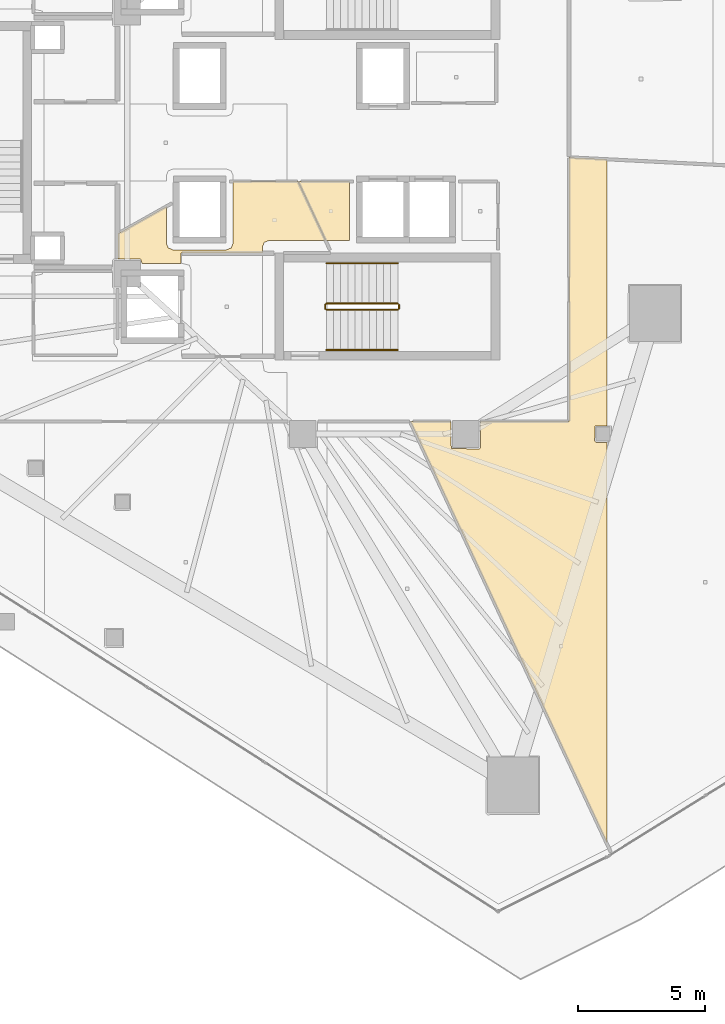
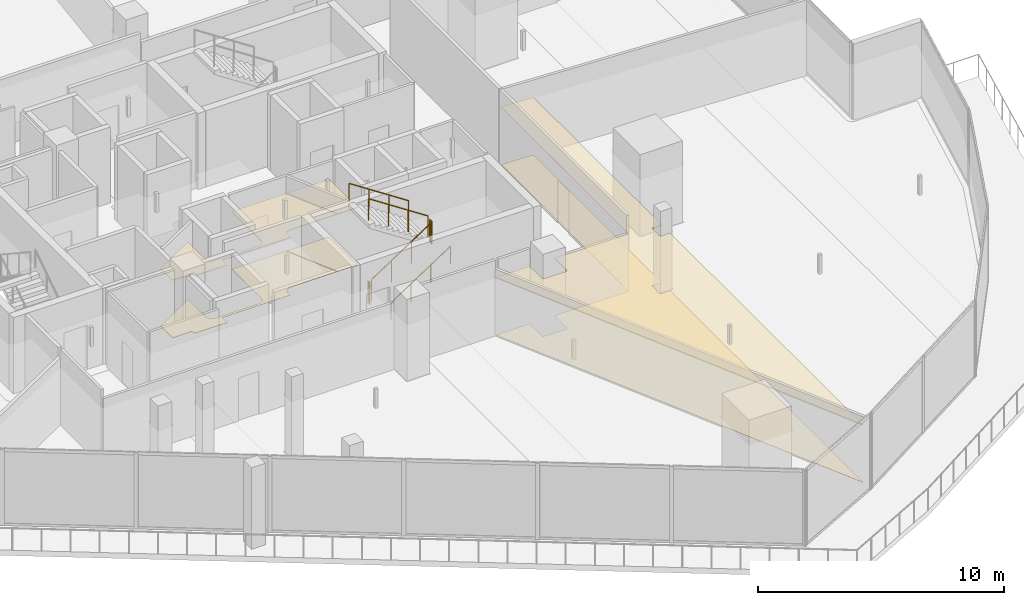
# One storey, part 34 of 38: 6 coverings, 6 railings.
"""IFC4 building model written with IfcOpenShell, lengths in metres."""

from ifc_helpers import new_model, si_unit, direction, frame, origin, origin_2d, place, context, subcontext, project, spatial, polyline, circle, outline, extrude, material, layer, layer_set, type_object, element, save


model = new_model("IFC4")

# Units and contexts
model_context = context("Model", 3, precision=1e-05, world=origin(), true_north=direction((0.0, 1.0)))
body_context = subcontext(model_context, "Body", "Model", "MODEL_VIEW")
ifc_project = project(units=[si_unit("LENGTHUNIT", "METRE"), si_unit("AREAUNIT", "SQUARE_METRE"), si_unit("VOLUMEUNIT", "CUBIC_METRE"), si_unit("PLANEANGLEUNIT", "RADIAN"), si_unit("MASSUNIT", "GRAM", prefix="KILO")], contexts=[model_context])

# Site, building, storey
site_placement = place(None, origin())
site = spatial("IfcSite", under=ifc_project, at=site_placement, CompositionType="ELEMENT")
building_placement = place(site_placement, origin())
building = spatial("IfcBuilding", under=site, at=building_placement, Name="Qorvath Tower", CompositionType="ELEMENT")
storey_placement = place(building_placement, frame((0.0, 0.0, 134.10009765625)))
storey = spatial("IfcBuildingStorey", under=building, at=storey_placement, Name="L30", CompositionType="ELEMENT", Elevation=134.10009765625)

# Coverings
ifc_material_1 = material(Name="Acoustic mineral fibre ceiling tile", Category="gypsum")
ifc_layer_1 = layer(ifc_material_1, 0.030029296875)
ifc_layer_set_1 = layer_set([ifc_layer_1], Name="COV-CEIL")
covering_type_1 = type_object("IfcCoveringType", Name="COV-CEIL", PredefinedType="CEILING", material=ifc_layer_set_1)
covering_1_placement = place(storey_placement, frame((0.0, 0.0, 2.849853515625)))
element("IfcCovering", 1, at=covering_1_placement, inside=storey, type_object=covering_type_1, Name="L30 Suspended Acoustic Ceiling 017", PredefinedType="CEILING", context=body_context, shape_type="SweptSolid", body=[
    extrude(outline(polyline([(-25.18994140625, -4.33154296875), (-25.18994140625, -4.10009765625), (-25.11669921875, -3.92333984375), (-24.93994140625, -3.85009765625), (-22.709716796875, -3.85009765625), (-23.79052734375, -1.532958984375), (-26.340087890625, -1.532958984375), (-26.340087890625, -3.9599609375), (-26.413330078125, -4.13671875), (-26.590087890625, -4.2099609375), (-28.7099609375, -4.2099609375), (-28.88671875, -4.13671875), (-28.9599609375, -3.9599609375), (-28.9599609375, -2.512939453125), (-30.866943359375, -3.5849609375), (-30.866943359375, -4.56494140625), (-29.97509765625, -4.56494140625), (-29.9150390625, -4.739990234375), (-28.39306640625, -4.739990234375), (-28.3916015625, -4.33837890625), (-25.18994140625, -4.33154296875)])), origin(), (0.0, 0.0, 1.0), 0.030029296875),
])
covering_2_placement = place(storey_placement, frame((0.0, 0.0, 2.849853515625)))
element("IfcCovering", 2, at=covering_2_placement, inside=storey, type_object=covering_type_1, Name="L30 Suspended Acoustic Ceiling 018", PredefinedType="CEILING", context=body_context, shape_type="SweptSolid", body=[
    extrude(outline(polyline([(-13.138427734375, -10.96142578125), (-16.614990234375, -10.962890625), (-16.614990234375, -11.97509765625), (-16.675048828125, -12.034912109375), (-17.767333984375, -12.017333984375), (-17.784912109375, -10.962890625), (-19.37255859375, -10.962890625), (-11.6494140625, -27.522216796875), (-11.6494140625, -11.7724609375), (-12.074951171875, -11.784912109375), (-12.135009765625, -11.72509765625), (-12.117431640625, -11.132568359375), (-11.6494140625, -11.132568359375), (-11.6494140625, -0.65966796875), (-13.136962890625, -0.583984375), (-13.138427734375, -10.96142578125)])), origin(), (0.0, 0.0, 1.0), 0.030029296875),
])
covering_3_placement = place(storey_placement, frame((0.0, 0.0, 2.849853515625)))
element("IfcCovering", 3, at=covering_3_placement, inside=storey, type_object=covering_type_1, Name="L30 Suspended Acoustic Ceiling 021", PredefinedType="CEILING", context=body_context, shape_type="SweptSolid", body=[
    extrude(outline(polyline([(-22.68994140625, -3.85009765625), (-21.760009765625, -3.85009765625), (-21.760009765625, -1.532958984375), (-23.770751953125, -1.532958984375), (-22.68994140625, -3.85009765625)])), origin(), (0.0, 0.0, 1.0), 0.030029296875),
])
ifc_material_2 = material(Name="Low-VOC modular carpet tile", Category="textile")
ifc_layer_2 = layer(ifc_material_2, 0.014892578125)
ifc_layer_set_2 = layer_set([ifc_layer_2], Name="COV-FLOOR-CPT")
covering_type_2 = type_object("IfcCoveringType", Name="COV-FLOOR-CPT", PredefinedType="FLOORING", material=ifc_layer_set_2)
covering_4_placement = place(storey_placement, origin())
element("IfcCovering", 4, at=covering_4_placement, inside=storey, type_object=covering_type_2, Name="L30 Floor Finish 017", PredefinedType="FLOORING", context=body_context, shape_type="SweptSolid", body=[
    extrude(outline(polyline([(-25.18994140625, -4.33154296875), (-25.18994140625, -4.10009765625), (-25.11669921875, -3.92333984375), (-24.93994140625, -3.85009765625), (-22.709716796875, -3.85009765625), (-23.79052734375, -1.532958984375), (-26.340087890625, -1.532958984375), (-26.340087890625, -3.9599609375), (-26.413330078125, -4.13671875), (-26.590087890625, -4.2099609375), (-28.7099609375, -4.2099609375), (-28.88671875, -4.13671875), (-28.9599609375, -3.9599609375), (-28.9599609375, -2.512939453125), (-30.866943359375, -3.5849609375), (-30.866943359375, -4.56494140625), (-29.97509765625, -4.56494140625), (-29.9150390625, -4.739990234375), (-28.39306640625, -4.739990234375), (-28.3916015625, -4.33837890625), (-25.18994140625, -4.33154296875)])), origin(), (0.0, 0.0, 1.0), 0.014892578125),
])
covering_5_placement = place(storey_placement, origin())
element("IfcCovering", 5, at=covering_5_placement, inside=storey, type_object=covering_type_2, Name="L30 Floor Finish 018", PredefinedType="FLOORING", context=body_context, shape_type="SweptSolid", body=[
    extrude(outline(polyline([(-13.138427734375, -10.96142578125), (-16.614990234375, -10.962890625), (-16.614990234375, -11.97509765625), (-16.675048828125, -12.034912109375), (-17.767333984375, -12.017333984375), (-17.784912109375, -10.962890625), (-19.37255859375, -10.962890625), (-11.6494140625, -27.522216796875), (-11.6494140625, -11.7724609375), (-12.074951171875, -11.784912109375), (-12.135009765625, -11.72509765625), (-12.117431640625, -11.132568359375), (-11.6494140625, -11.132568359375), (-11.6494140625, -0.65966796875), (-13.136962890625, -0.583984375), (-13.138427734375, -10.96142578125)])), origin(), (0.0, 0.0, 1.0), 0.014892578125),
])
covering_6_placement = place(storey_placement, origin())
element("IfcCovering", 6, at=covering_6_placement, inside=storey, type_object=covering_type_2, Name="L30 Floor Finish 021", PredefinedType="FLOORING", context=body_context, shape_type="SweptSolid", body=[
    extrude(outline(polyline([(-22.68994140625, -3.85009765625), (-21.760009765625, -3.85009765625), (-21.760009765625, -1.532958984375), (-23.770751953125, -1.532958984375), (-22.68994140625, -3.85009765625)])), origin(), (0.0, 0.0, 1.0), 0.014892578125),
])

# Railings
ifc_material_3 = material(Name="Painted galvanised steel", Category="steel")
railing_type_1 = type_object("IfcRailingType", Name="RL-STR-GRD", PredefinedType="GUARDRAIL", material=ifc_material_3)
railing_1_placement = place(storey_placement, frame((-22.669921875, -6.570068359375, 0.18408203125)))
element("IfcRailing", 7, at=railing_1_placement, inside=storey, type_object=railing_type_1, Name="L30 TS2 stair guard 1", PredefinedType="GUARDRAIL", context=body_context, shape_type="SweptSolid", body=[
    extrude(circle(Radius=0.02392578125, at=origin_2d()), frame((0.0, 0.0, 1.076171875), z_axis=(0.835575518608, 0.0, 0.549375602573), x_axis=(0.0, 1.0, 0.0)), (0.0, 0.0, 1.0), 3.350830078125),
    extrude(circle(Radius=0.02099609375, at=origin_2d()), origin(), (0.0, 0.0, 1.0), 1.052001953125),
    extrude(circle(Radius=0.02099609375, at=origin_2d()), frame((0.933349609375, 0.0, 0.613525390625)), (0.0, 0.0, 1.0), 1.052001953125),
    extrude(circle(Radius=0.02099609375, at=origin_2d()), frame((1.866455078125, 0.0, 1.227294921875)), (0.0, 0.0, 1.0), 1.052001953125),
    extrude(circle(Radius=0.02099609375, at=origin_2d()), frame((2.7998046875, 0.0, 1.8408203125)), (0.0, 0.0, 1.0), 1.052001953125),
])
railing_2_placement = place(storey_placement, frame((-19.820068359375, -6.52001953125, 2.02490234375)))
element("IfcRailing", 8, at=railing_2_placement, inside=storey, type_object=railing_type_1, Name="L30 TS2 stair guard 2", PredefinedType="GUARDRAIL", context=body_context, shape_type="SweptSolid", body=[
    extrude(circle(Radius=0.02392578125, at=origin_2d()), frame((0.0, 0.0, 1.076171875), z_axis=(0.0, 1.0, 0.0), x_axis=(-1.0, 0.0, 0.0)), (0.0, 0.0, 1.0), 0.14990234375),
    extrude(circle(Radius=0.02099609375, at=origin_2d()), origin(), (0.0, 0.0, 1.0), 1.052001953125),
    extrude(circle(Radius=0.02099609375, at=origin_2d()), frame((0.0, 0.14990234375, 0.0)), (0.0, 0.0, 1.0), 1.052001953125),
])
railing_3_placement = place(storey_placement, frame((-19.8701171875, -6.320068359375, 2.208984375)))
element("IfcRailing", 9, at=railing_3_placement, inside=storey, type_object=railing_type_1, Name="L30 TS2 stair guard 3", PredefinedType="GUARDRAIL", context=body_context, shape_type="SweptSolid", body=[
    extrude(circle(Radius=0.02392578125, at=origin_2d()), frame((0.0, 0.0, 1.076171875), z_axis=(-0.835575518608, 0.0, 0.549375602573), x_axis=(0.0, -1.0, 0.0)), (0.0, 0.0, 1.0), 3.350830078125),
    extrude(circle(Radius=0.02099609375, at=origin_2d()), origin(), (0.0, 0.0, 1.0), 1.052001953125),
    extrude(circle(Radius=0.02099609375, at=origin_2d()), frame((-0.933349609375, 0.0, 0.613525390625)), (0.0, 0.0, 1.0), 1.052001953125),
    extrude(circle(Radius=0.02099609375, at=origin_2d()), frame((-1.866455078125, 0.0, 1.227294921875)), (0.0, 0.0, 1.0), 1.052001953125),
    extrude(circle(Radius=0.02099609375, at=origin_2d()), frame((-2.7998046875, 0.0, 1.8408203125)), (0.0, 0.0, 1.0), 1.052001953125),
])
railing_4_placement = place(storey_placement, frame((-22.719970703125, -6.52001953125, 0.0)))
element("IfcRailing", 10, at=railing_4_placement, inside=storey, type_object=railing_type_1, Name="L30 TS2 stair guard 4", PredefinedType="GUARDRAIL", context=body_context, shape_type="SweptSolid", body=[
    extrude(circle(Radius=0.02392578125, at=origin_2d()), frame((0.0, 0.0, 1.076171875), z_axis=(0.0, 1.0, 0.0), x_axis=(-1.0, 0.0, 0.0)), (0.0, 0.0, 1.0), 0.14990234375),
    extrude(circle(Radius=0.02099609375, at=origin_2d()), origin(), (0.0, 0.0, 1.0), 1.052001953125),
    extrude(circle(Radius=0.02099609375, at=origin_2d()), frame((0.0, 0.14990234375, 0.0)), (0.0, 0.0, 1.0), 1.052001953125),
])
ifc_material_4 = material(Name="Brushed stainless steel AISI 304", Category="steel")
railing_type_2 = type_object("IfcRailingType", Name="RL-STR-HND", PredefinedType="HANDRAIL", material=ifc_material_4)
railing_5_placement = place(storey_placement, frame((-22.669921875, -8.14990234375, 0.18408203125)))
element("IfcRailing", 11, at=railing_5_placement, inside=storey, type_object=railing_type_2, Name="L30 TS2 stair handrail 1", PredefinedType="HANDRAIL", context=body_context, shape_type="SweptSolid", body=[
    extrude(circle(Radius=0.02392578125, at=origin_2d()), frame((0.0, 0.0, 0.8759765625), z_axis=(0.835575518608, 0.0, 0.549375602573), x_axis=(0.0, 1.0, 0.0)), (0.0, 0.0, 1.0), 3.350830078125),
    extrude(circle(Radius=0.02099609375, at=origin_2d()), origin(), (0.0, 0.0, 1.0), 0.851806640625),
    extrude(circle(Radius=0.02099609375, at=origin_2d()), frame((0.933349609375, 0.0, 0.613525390625)), (0.0, 0.0, 1.0), 0.851806640625),
    extrude(circle(Radius=0.02099609375, at=origin_2d()), frame((1.866455078125, 0.0, 1.227294921875)), (0.0, 0.0, 1.0), 0.851806640625),
    extrude(circle(Radius=0.02099609375, at=origin_2d()), frame((2.7998046875, 0.0, 1.8408203125)), (0.0, 0.0, 1.0), 0.851806640625),
])
railing_6_placement = place(storey_placement, frame((-19.8701171875, -4.739990234375, 2.208984375)))
element("IfcRailing", 12, at=railing_6_placement, inside=storey, type_object=railing_type_2, Name="L30 TS2 stair handrail 2", PredefinedType="HANDRAIL", context=body_context, shape_type="SweptSolid", body=[
    extrude(circle(Radius=0.02392578125, at=origin_2d()), frame((0.0, 0.0, 0.8759765625), z_axis=(-0.835575518608, 0.0, 0.549375602573), x_axis=(0.0, -1.0, 0.0)), (0.0, 0.0, 1.0), 3.350830078125),
    extrude(circle(Radius=0.02099609375, at=origin_2d()), origin(), (0.0, 0.0, 1.0), 0.851806640625),
    extrude(circle(Radius=0.02099609375, at=origin_2d()), frame((-0.933349609375, 0.0, 0.613525390625)), (0.0, 0.0, 1.0), 0.851806640625),
    extrude(circle(Radius=0.02099609375, at=origin_2d()), frame((-1.866455078125, 0.0, 1.227294921875)), (0.0, 0.0, 1.0), 0.851806640625),
    extrude(circle(Radius=0.02099609375, at=origin_2d()), frame((-2.7998046875, 0.0, 1.8408203125)), (0.0, 0.0, 1.0), 0.851806640625),
])

save(model, "model.ifc")
